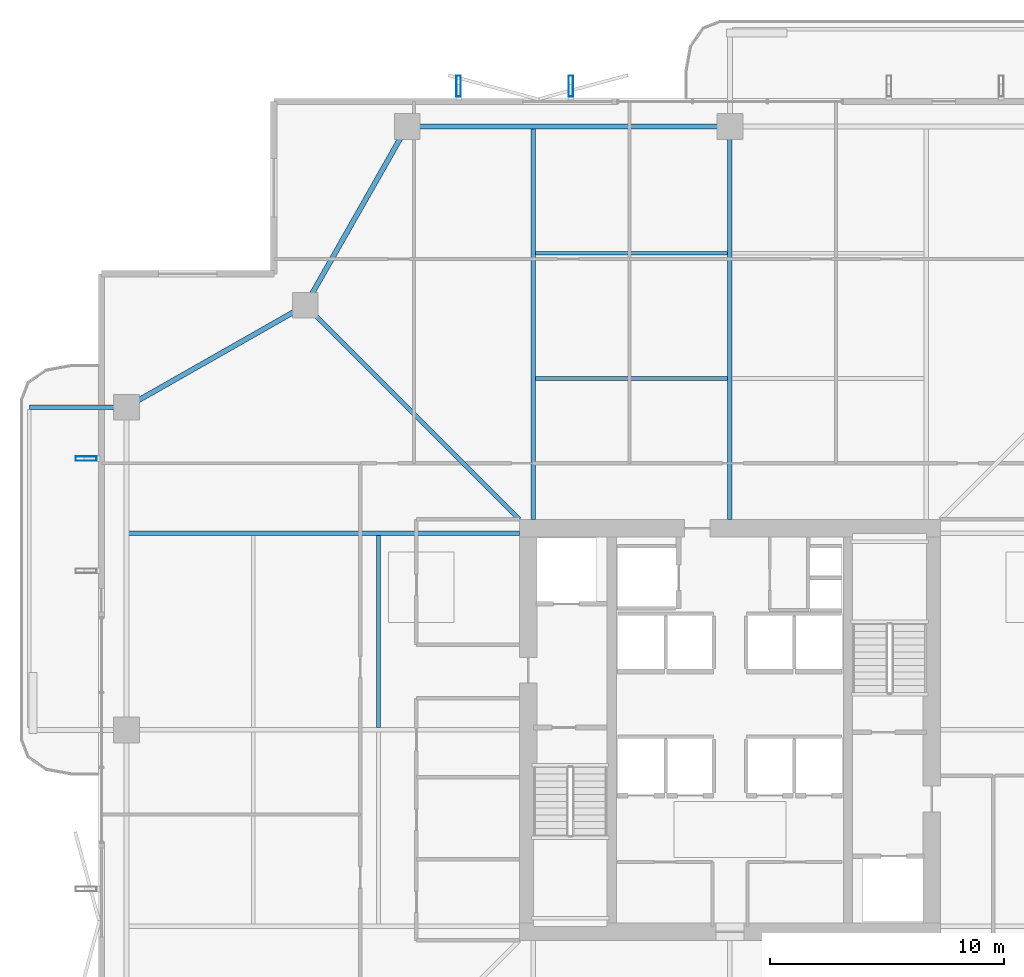
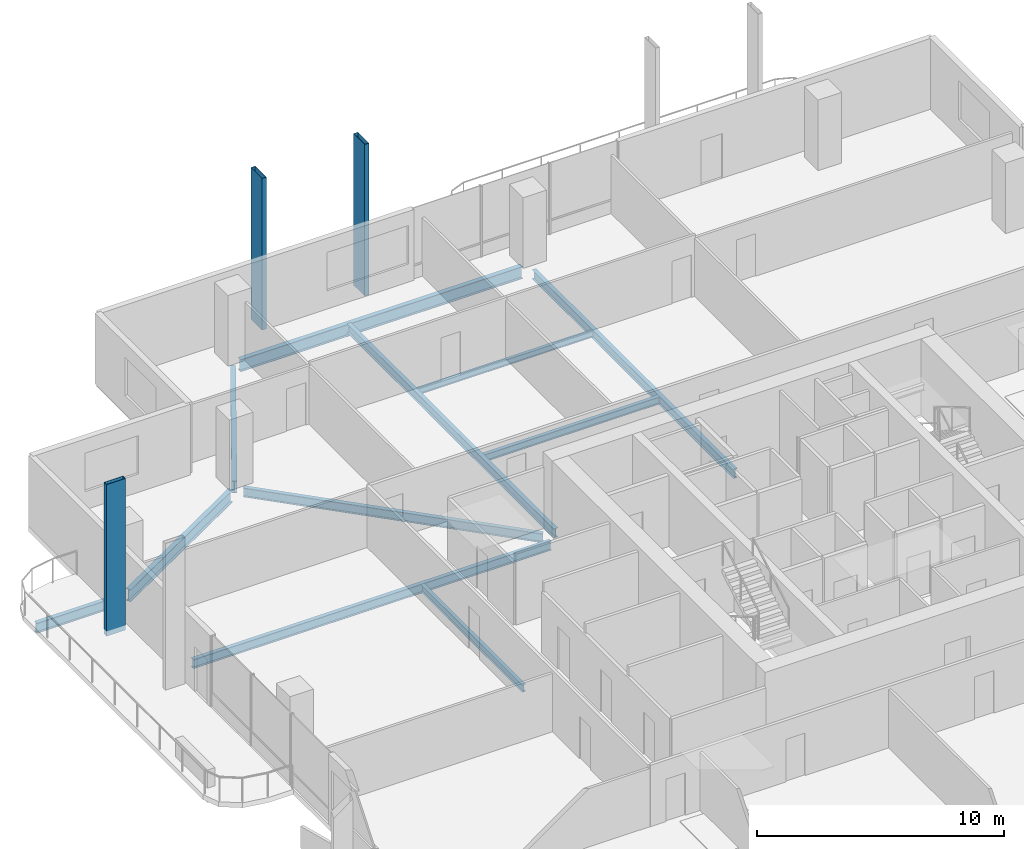
# One storey, part 10 of 24: 11 beams, 3 members.
"""IFC4 building model written with IfcOpenShell, lengths in metres."""

from ifc_helpers import new_model, si_unit, direction, frame, origin, origin_2d, place, context, subcontext, project, spatial, hollow_rectangle, i_section, extrude, material, material_profile, profile_set, type_object, element, save


model = new_model("IFC4")

# Units and contexts
model_context = context("Model", 3, precision=1e-05, world=origin(), true_north=direction((0.0, 1.0)))
body_context = subcontext(model_context, "Body", "Model", "MODEL_VIEW")
ifc_project = project(units=[si_unit("LENGTHUNIT", "METRE"), si_unit("AREAUNIT", "SQUARE_METRE"), si_unit("VOLUMEUNIT", "CUBIC_METRE"), si_unit("PLANEANGLEUNIT", "RADIAN"), si_unit("MASSUNIT", "GRAM", prefix="KILO")], contexts=[model_context])

# Site, building, storey
site_placement = place(None, origin())
site = spatial("IfcSite", under=ifc_project, at=site_placement, CompositionType="ELEMENT")
building_placement = place(site_placement, origin())
building = spatial("IfcBuilding", under=site, at=building_placement, Name="Belovzor Exchange Tower", CompositionType="ELEMENT")
storey_placement = place(building_placement, frame((0.0, 0.0, 218.699951171875)))
storey = spatial("IfcBuildingStorey", under=building, at=storey_placement, Name="L54", CompositionType="ELEMENT", Elevation=218.699951171875)

# Beams
ifc_material_1 = material(Name="Steel S355", Category="steel")
ifc_material_profile_1 = material_profile(ifc_material_1, i_section(OverallWidth=0.199951171875, OverallDepth=0.5, WebThickness=0.01025390625, FlangeThickness=0.01611328125, at=origin_2d()))
ifc_profile_set_1 = profile_set([ifc_material_profile_1], Name="Steel S355")
beam_type_1 = type_object("IfcBeamType", Name="Planted Balcony Cantilever Beam IPE 500", PredefinedType="BEAM", material=ifc_profile_set_1)
beam_1_placement = place(storey_placement, frame((2.697021484375, 42.60009765625, -0.5), z_axis=(-1.0, 0.0, 0.0), x_axis=(0.0, -1.0, 0.0)))
element("IfcBeam", 1, at=beam_1_placement, inside=storey, type_object=beam_type_1, Name="BC-500 Planted Balcony Cantilever Beam IPE 500", PredefinedType="BEAM", context=body_context, shape_type="SweptSolid", body=[
    extrude(i_section(OverallWidth=0.199951171875, OverallDepth=0.5, WebThickness=0.01025390625, FlangeThickness=0.01611328125, at=origin_2d()), origin(), (0.0, 0.0, 1.0), 3.85009765625),
])
ifc_material_2 = material(Name="Steel S355", Category="steel")
ifc_material_profile_2 = material_profile(ifc_material_2, i_section(OverallWidth=0.169921875, OverallDepth=0.360107421875, WebThickness=0.008056640625, FlangeThickness=0.0126953125, at=origin_2d()))
ifc_profile_set_2 = profile_set([ifc_material_profile_2], Name="Steel S355")
beam_type_2 = type_object("IfcBeamType", Name="Secondary Infill Floor Joist IPE 360", PredefinedType="BEAM", material=ifc_profile_set_2)
for number, where, z_axis, x_axis, name in (
    (2, (20.4951171875, 43.827880859375, -0.429931640625), (1.0, 0.0, 0.0), (0.0, 1.0, 0.0), "FJ-360 Secondary Infill Floor Joist IPE 360"),
    (3, (13.77197265625, 28.89501953125, -0.429931640625), (0.0, 1.0, 0.0), (-1.0, 0.0, 0.0), "FJ-360 Secondary Infill Floor Joist IPE 360"),
):
    element("IfcBeam", number, at=place(storey_placement, frame(where, z_axis=z_axis, x_axis=x_axis)), inside=storey, type_object=beam_type_2, Name=name, PredefinedType="BEAM", context=body_context, shape_type="SweptSolid", body=[
        extrude(i_section(OverallWidth=0.169921875, OverallDepth=0.360107421875, WebThickness=0.008056640625, FlangeThickness=0.0126953125, at=origin_2d()), origin(), (0.0, 0.0, 1.0), 8.2099609375),
    ])
ifc_material_3 = material(Name="Steel S355", Category="steel")
ifc_material_profile_3 = material_profile(ifc_material_3, i_section(OverallWidth=0.14990234375, OverallDepth=0.300048828125, WebThickness=0.007080078125, FlangeThickness=0.0107421875, at=origin_2d()))
ifc_profile_set_3 = profile_set([ifc_material_profile_3], Name="Steel S355")
beam_type_3 = type_object("IfcBeamType", Name="Secondary Trim Floor Joist IPE 300", PredefinedType="BEAM", material=ifc_profile_set_3)
beam_2_placement = place(storey_placement, frame((20.4951171875, 49.18701171875, -0.39990234375), z_axis=(1.0, 0.0, 0.0), x_axis=(0.0, 1.0, 0.0)))
element("IfcBeam", 4, at=beam_2_placement, inside=storey, type_object=beam_type_3, Name="FJ-300 Secondary Trim Floor Joist IPE 300", PredefinedType="BEAM", context=body_context, shape_type="SweptSolid", body=[
    extrude(i_section(OverallWidth=0.14990234375, OverallDepth=0.300048828125, WebThickness=0.007080078125, FlangeThickness=0.0107421875, at=origin_2d()), origin(), (0.0, 0.0, 1.0), 8.2099609375),
])

# Members
ifc_material_4 = material(Name="Extruded Architectural Terracotta on Steel S355 Carrier", Category="masonry")
ifc_material_profile_4 = material_profile(ifc_material_4, hollow_rectangle(XDim=0.199951171875, YDim=0.89990234375, WallThickness=0.011962890625, at=origin_2d()))
ifc_profile_set_4 = profile_set([ifc_material_profile_4], Name="Extruded Architectural Terracotta on Steel S355 Carrier")
member_type = type_object("IfcMemberType", Name="Sweeping Terracotta Baguette Fin Assembly 950", PredefinedType="USERDEFINED", material=ifc_profile_set_4)
for number, where, z_axis, x_axis, name in (
    (5, (17.199951171875, 56.324951171875, -0.25), (0.0, 0.0, 1.0), (1.0, 0.0, 0.0), "FIN-TC095 Terracotta Facade Fin L54 N1"),
    (6, (22.0, 56.324951171875, -0.25), (0.0, 0.0, 1.0), (1.0, 0.0, 0.0), "FIN-TC095 Terracotta Facade Fin L54 N2"),
    (7, (1.27490234375, 40.39990234375, -0.25), (0.0, 0.0, 1.0), (0.0, 1.0, 0.0), "FIN-TC095 Terracotta Facade Fin L54 W4"),
):
    element("IfcMember", number, at=place(storey_placement, frame(where, z_axis=z_axis, x_axis=x_axis)), inside=storey, type_object=member_type, Name=name, ObjectType="FIN", PredefinedType="USERDEFINED", context=body_context, shape_type="SweptSolid", body=[
        extrude(hollow_rectangle(XDim=0.199951171875, YDim=0.89990234375, WallThickness=0.011962890625, at=origin_2d()), origin(), (0.0, 0.0, 1.0), 7.5),
    ])

# Beams
ifc_material_5 = material(Name="Steel S355", Category="steel")
ifc_material_profile_5 = material_profile(ifc_material_5, i_section(OverallWidth=0.18994140625, OverallDepth=0.449951171875, WebThickness=0.009521484375, FlangeThickness=0.0146484375, at=origin_2d()))
ifc_profile_set_5 = profile_set([ifc_material_profile_5], Name="Steel S355")
beam_type_4 = type_object("IfcBeamType", Name="Zone 2-4 Radial Composite Floor Beam IPE 450", PredefinedType="BEAM", material=ifc_profile_set_5)
beam_3_placement = place(storey_placement, frame((20.39990234375, 37.800048828125, -0.474853515625), z_axis=(0.0, 1.0, 0.0), x_axis=(-1.0, 0.0, 0.0)))
element("IfcBeam", 8, at=beam_3_placement, inside=storey, type_object=beam_type_4, Name="FB-450 Zone 2-4 Radial Composite Floor Beam IPE 450", PredefinedType="BEAM", context=body_context, shape_type="SweptSolid", body=[
    extrude(i_section(OverallWidth=0.18994140625, OverallDepth=0.449951171875, WebThickness=0.009521484375, FlangeThickness=0.0146484375, at=origin_2d()), origin(), (0.0, 0.0, 1.0), 16.744873046875),
])
beam_4_placement = place(storey_placement, frame((28.800048828125, 37.800048828125, -0.474853515625), z_axis=(0.0, 1.0, 0.0), x_axis=(-1.0, 0.0, 0.0)))
element("IfcBeam", 9, at=beam_4_placement, inside=storey, type_object=beam_type_4, Name="FB-450 Zone 2-4 Radial Composite Floor Beam IPE 450", PredefinedType="BEAM", context=body_context, shape_type="SweptSolid", body=[
    extrude(i_section(OverallWidth=0.18994140625, OverallDepth=0.449951171875, WebThickness=0.009521484375, FlangeThickness=0.0146484375, at=origin_2d()), origin(), (0.0, 0.0, 1.0), 16.31591796875),
])
beam_5_placement = place(storey_placement, frame((19.800048828125, 37.199951171875, -0.474853515625), z_axis=(-1.0, 0.0, 0.0), x_axis=(0.0, -1.0, 0.0)))
element("IfcBeam", 10, at=beam_5_placement, inside=storey, type_object=beam_type_4, Name="FB-450 Zone 2-4 Radial Composite Floor Beam IPE 450", PredefinedType="BEAM", context=body_context, shape_type="SweptSolid", body=[
    extrude(i_section(OverallWidth=0.18994140625, OverallDepth=0.449951171875, WebThickness=0.009521484375, FlangeThickness=0.0146484375, at=origin_2d()), origin(), (0.0, 0.0, 1.0), 16.7451171875),
])
beam_6_placement = place(storey_placement, frame((19.800048828125, 37.800048828125, -0.474853515625), z_axis=(-0.707106781187, 0.707106781187, 0.0), x_axis=(-0.707106781187, -0.707106781187, 0.0)))
element("IfcBeam", 11, at=beam_6_placement, inside=storey, type_object=beam_type_4, Name="FB-450 Zone 2-4 Radial Composite Floor Beam IPE 450", PredefinedType="BEAM", context=body_context, shape_type="SweptSolid", body=[
    extrude(i_section(OverallWidth=0.18994140625, OverallDepth=0.449951171875, WebThickness=0.009521484375, FlangeThickness=0.0146484375, at=origin_2d()), origin(), (0.0, 0.0, 1.0), 12.551025390625),
])
ifc_material_6 = material(Name="Steel S355", Category="steel")
ifc_material_profile_6 = material_profile(ifc_material_6, i_section(OverallWidth=0.219970703125, OverallDepth=0.60009765625, WebThickness=0.011962890625, FlangeThickness=0.01904296875, at=origin_2d()))
ifc_profile_set_6 = profile_set([ifc_material_profile_6], Name="Steel S355")
beam_type_5 = type_object("IfcBeamType", Name="Zone 4 Flare Primary Girder IPE 600", PredefinedType="BEAM", material=ifc_profile_set_6)
beam_7_placement = place(storey_placement, frame((28.498046875, 54.60009765625, -0.550048828125), z_axis=(-1.0, 0.0, 0.0), x_axis=(0.0, -1.0, 0.0)))
element("IfcBeam", 12, at=beam_7_placement, inside=storey, type_object=beam_type_5, Name="FG-Z4 Zone 4 Flare Primary Girder IPE 600", PredefinedType="BEAM", context=body_context, shape_type="SweptSolid", body=[
    extrude(i_section(OverallWidth=0.219970703125, OverallDepth=0.60009765625, WebThickness=0.011962890625, FlangeThickness=0.01904296875, at=origin_2d()), origin(), (0.0, 0.0, 1.0), 13.195068359375),
])
for number, where, z_axis, x_axis, name in (
    (13, (14.85009765625, 54.3369140625, -0.550048828125), (-0.494222323641, -0.869335547884, 0.0), (0.869335547884, -0.494222323641, 0.0), "FG-Z4 Zone 4 Flare Primary Girder IPE 600"),
    (14, (10.386962890625, 46.800048828125, -0.550048828125), (-0.869335547884, -0.494222323641, 0.0), (0.494222323641, -0.869335547884, 0.0), "FG-Z4 Zone 4 Flare Primary Girder IPE 600"),
):
    element("IfcBeam", number, at=place(storey_placement, frame(where, z_axis=z_axis, x_axis=x_axis)), inside=storey, type_object=beam_type_5, Name=name, PredefinedType="BEAM", context=body_context, shape_type="SweptSolid", body=[
        extrude(i_section(OverallWidth=0.219970703125, OverallDepth=0.60009765625, WebThickness=0.011962890625, FlangeThickness=0.01904296875, at=origin_2d()), origin(), (0.0, 0.0, 1.0), 8.19482421875),
    ])

save(model, "model.ifc")
